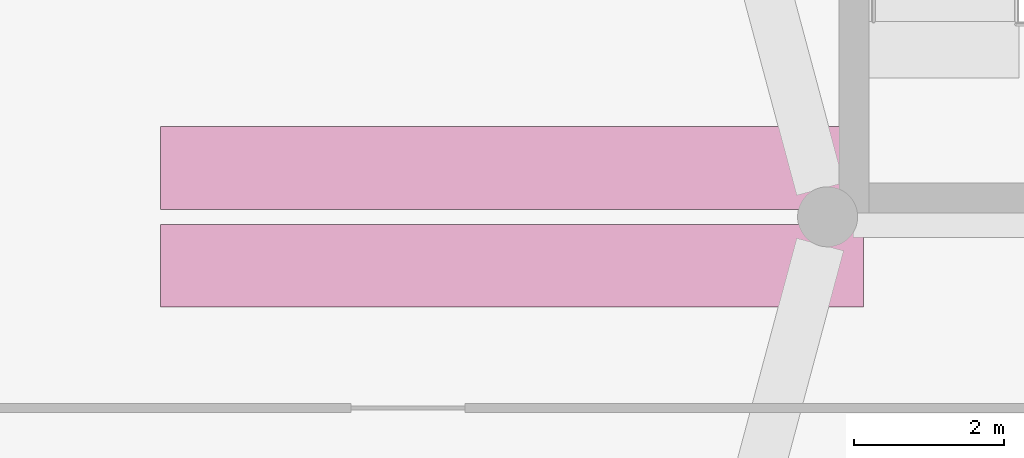
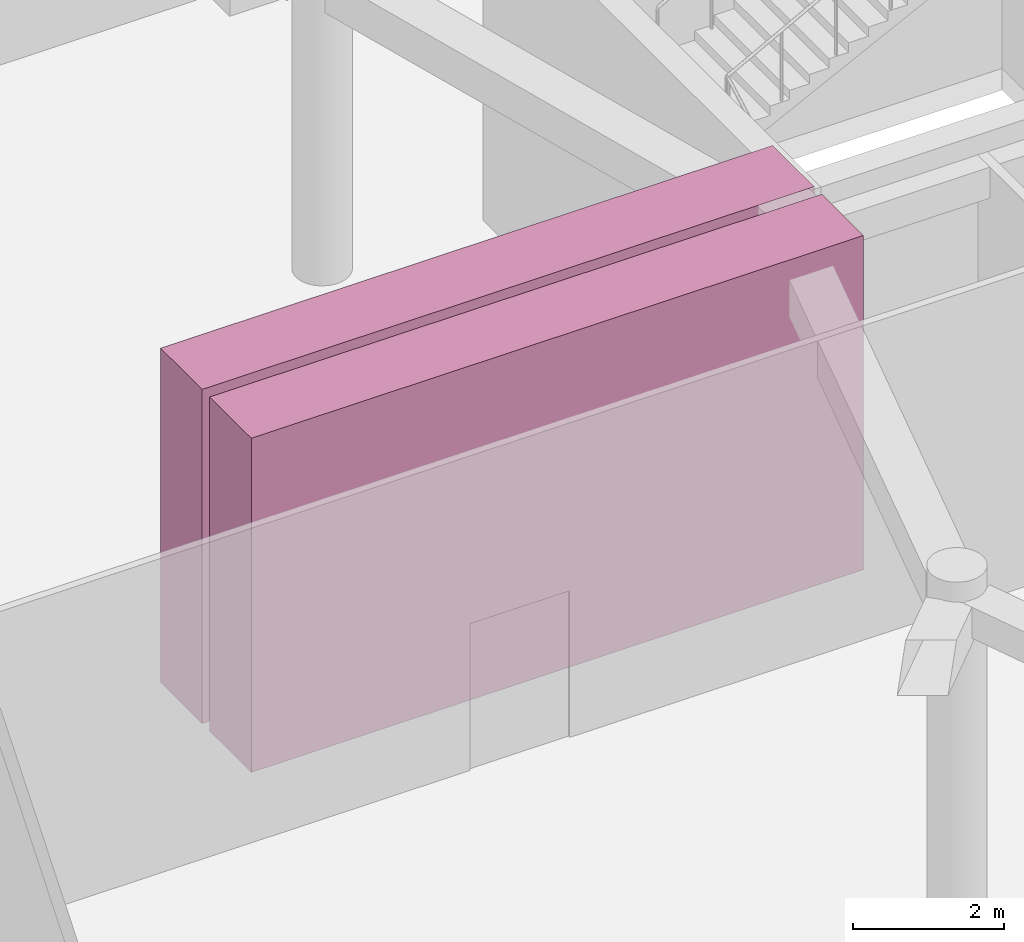
# One storey, part 84 of 84: 2 transport elements.
"""IFC4 building model written with IfcOpenShell, lengths in metres."""

from ifc_helpers import new_model, si_unit, derived_unit, direction, frame, origin, origin_2d, place, context, subcontext, project, spatial, rectangle, extrude, material, type_object, element, save


model = new_model("IFC4")

# Units and contexts
model_context = context("Model", 3, precision=1e-05, world=origin(), true_north=direction((0.0, 1.0)))
body_context = subcontext(model_context, "Body", "Model", "MODEL_VIEW")
ifc_project = project(units=[si_unit("LENGTHUNIT", "METRE"), si_unit("AREAUNIT", "SQUARE_METRE"), si_unit("VOLUMEUNIT", "CUBIC_METRE"), si_unit("PLANEANGLEUNIT", "RADIAN"), si_unit("MASSUNIT", "GRAM", prefix="KILO"), derived_unit("THERMALTRANSMITTANCEUNIT", [(si_unit("POWERUNIT", "WATT"), 1), (si_unit("LENGTHUNIT", "METRE"), -2), (si_unit("THERMODYNAMICTEMPERATUREUNIT", "KELVIN"), -1)])], contexts=[model_context])

# Site, building, storey
site_placement = place(None, origin())
site = spatial("IfcSite", under=ifc_project, at=site_placement, CompositionType="ELEMENT")
building_placement = place(site_placement, origin())
building = spatial("IfcBuilding", under=site, at=building_placement, Name="Veybourne Emporium", CompositionType="ELEMENT")
storey_placement = place(building_placement, origin())
storey = spatial("IfcBuildingStorey", under=building, at=storey_placement, Name="L00", CompositionType="ELEMENT", Elevation=0.0)

# Transport elements
ifc_material = material(Name="Brushed Stainless Steel", Category="steel")
transport_element_type = type_object("IfcTransportElementType", Name="Escalator_ESC-01", PredefinedType="ESCALATOR", material=ifc_material)
for number, where, z_axis, x_axis, name in (
    (1, (88.199951171875, 49.75, 0.0), (0.0, 0.0, 1.0), (1.0, 0.0, 0.0), "Atrium criss-cross escalator ES-01 (L00 to L01)"),
    (2, (88.199951171875, 51.050048828125, 0.0), (0.0, 0.0, 1.0), (1.0, 0.0, 0.0), "Atrium criss-cross escalator ES-02 (L00 to L01)"),
):
    element("IfcTransportElement", number, at=place(storey_placement, frame(where, z_axis=z_axis, x_axis=x_axis)), inside=storey, type_object=transport_element_type, Name=name, PredefinedType="ESCALATOR", context=body_context, shape_type="SweptSolid", body=[
        extrude(rectangle(XDim=9.35302734375, YDim=1.10009765625, at=origin_2d()), origin(), (0.0, 0.0, 1.0), 5.39990234375),
    ])

save(model, "model.ifc")
